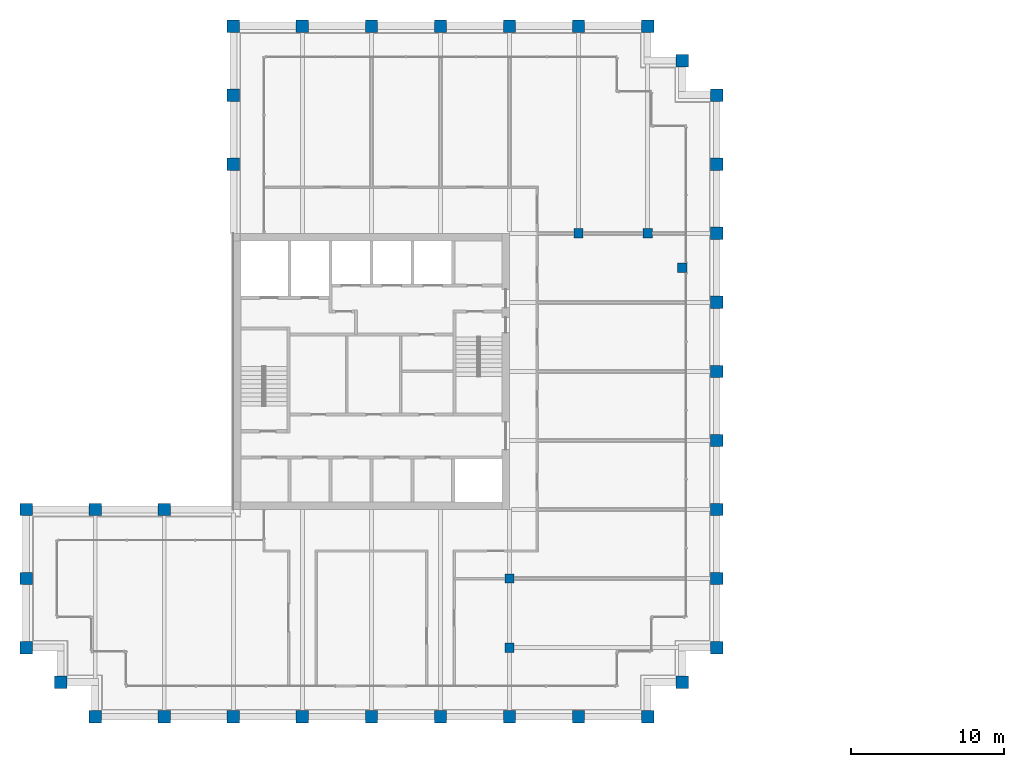
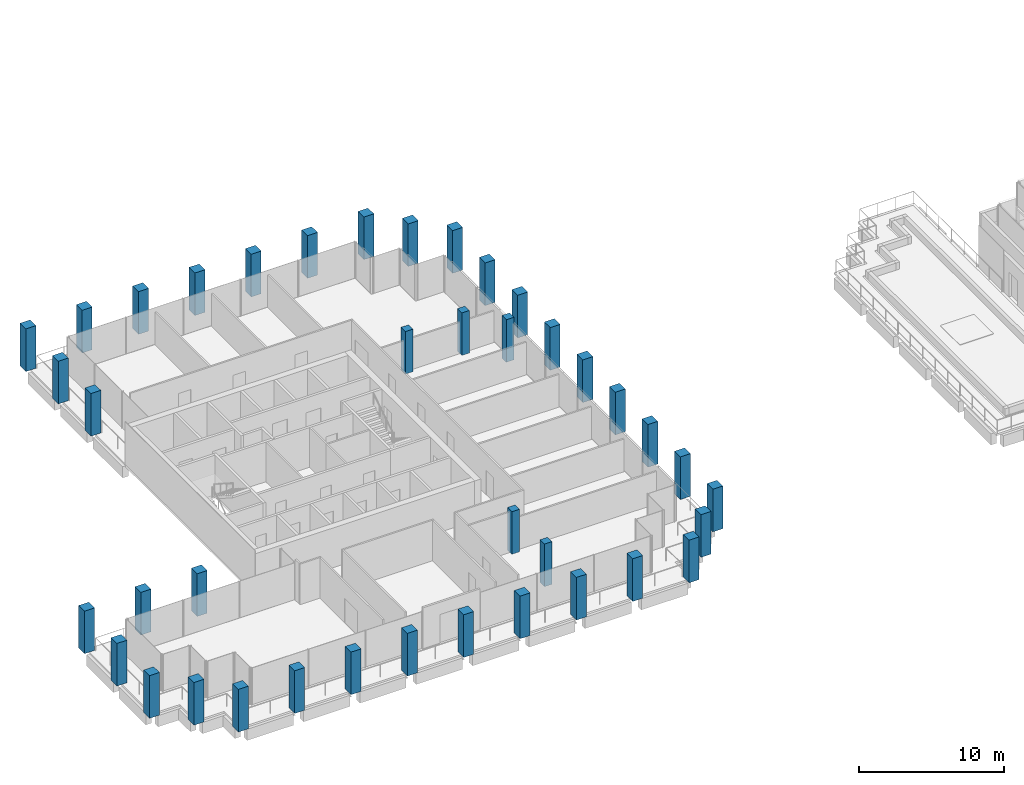
# One storey, part 1 of 62: 40 columns.
"""IFC4 building model written with IfcOpenShell, lengths in metres."""

from ifc_helpers import new_model, si_unit, direction, frame, origin, origin_2d, place, context, subcontext, project, spatial, rectangle, extrude, material, material_profile, profile_set, type_object, element, save


model = new_model("IFC4")

# Units and contexts
model_context = context("Model", 3, precision=1e-05, world=origin(), true_north=direction((0.0, 1.0)))
body_context = subcontext(model_context, "Body", "Model", "MODEL_VIEW")
ifc_project = project(units=[si_unit("LENGTHUNIT", "METRE"), si_unit("AREAUNIT", "SQUARE_METRE"), si_unit("VOLUMEUNIT", "CUBIC_METRE"), si_unit("PLANEANGLEUNIT", "RADIAN"), si_unit("MASSUNIT", "GRAM", prefix="KILO")], contexts=[model_context])

# Site, building, storey
site_placement = place(None, origin())
site = spatial("IfcSite", under=ifc_project, at=site_placement, CompositionType="ELEMENT")
building_placement = place(site_placement, origin())
building = spatial("IfcBuilding", under=site, at=building_placement, Name="Altepetl Exchange Towers", CompositionType="ELEMENT")
storey_placement = place(building_placement, frame((0.0, 0.0, 210.0)))
storey = spatial("IfcBuildingStorey", under=building, at=storey_placement, Name="L53", CompositionType="ELEMENT", Elevation=210.0)

# Columns
ifc_material_1 = material(Name="Concrete C70/85", Category="concrete")
ifc_material_profile_1 = material_profile(ifc_material_1, rectangle(XDim=0.60009765625, YDim=0.60009765625, at=origin_2d()), Name="600 x 600")
ifc_profile_set_1 = profile_set([ifc_material_profile_1], Name="Concrete C70/85")
column_type_1 = type_object("IfcColumnType", Name="Interior column 600", PredefinedType="COLUMN", material=ifc_profile_set_1)
for number, where, name in (
    (1, (58.5, 31.5, 0.0), "col:A:L53:035"),
    (2, (58.5, 36.0, 0.0), "col:A:L53:036"),
    (3, (63.0, 58.5, 0.0), "col:A:L53:037"),
    (4, (67.5, 58.5, 0.0), "col:A:L53:038"),
    (5, (69.75, 56.25, 0.0), "col:A:L53:039"),
):
    element("IfcColumn", number, at=place(storey_placement, frame(where)), inside=storey, type_object=column_type_1, Name=name, PredefinedType="COLUMN", context=body_context, shape_type="SweptSolid", body=[
        extrude(rectangle(XDim=0.60009765625, YDim=0.60009765625, at=origin_2d()), origin(), (0.0, 0.0, 1.0), 3.60009765625),
    ])
ifc_material_2 = material(Name="Concrete C70/85 precast with cantera amarilla facing", Category="concrete")
ifc_material_profile_2 = material_profile(ifc_material_2, rectangle(XDim=0.800048828125, YDim=0.800048828125, at=origin_2d()), Name="800 x 800")
ifc_profile_set_2 = profile_set([ifc_material_profile_2], Name="Concrete C70/85 precast with cantera amarilla facing")
column_type_2 = type_object("IfcColumnType", Name="Perimeter column 800 cantera amarilla", PredefinedType="COLUMN", material=ifc_profile_set_2)
for number, where, name in (
    (6, (58.5, 27.0, 0.0), "col:A:L53:006"),
    (7, (63.0, 27.0, 0.0), "col:A:L53:007"),
    (8, (67.5, 27.0, 0.0), "col:A:L53:008"),
    (9, (69.75, 29.25, 0.0), "col:A:L53:009"),
    (10, (72.0, 31.5, 0.0), "col:A:L53:010"),
    (11, (72.0, 36.0, 0.0), "col:A:L53:011"),
    (12, (72.0, 40.5, 0.0), "col:A:L53:012"),
    (13, (72.0, 45.0, 0.0), "col:A:L53:013"),
    (14, (72.0, 49.5, 0.0), "col:A:L53:014"),
    (15, (72.0, 54.0, 0.0), "col:A:L53:015"),
):
    element("IfcColumn", number, at=place(storey_placement, frame(where)), inside=storey, type_object=column_type_2, Name=name, PredefinedType="COLUMN", context=body_context, shape_type="SweptSolid", body=[
        extrude(rectangle(XDim=0.800048828125, YDim=0.800048828125, at=origin_2d()), origin(), (0.0, 0.0, 1.0), 3.60009765625),
    ])
ifc_material_3 = material(Name="Concrete C70/85 precast with cantera blanca facing", Category="concrete")
ifc_material_profile_3 = material_profile(ifc_material_3, rectangle(XDim=0.800048828125, YDim=0.800048828125, at=origin_2d()), Name="800 x 800")
ifc_profile_set_3 = profile_set([ifc_material_profile_3], Name="Concrete C70/85 precast with cantera blanca facing")
column_type_3 = type_object("IfcColumnType", Name="Perimeter column 800 cantera blanca", PredefinedType="COLUMN", material=ifc_profile_set_3)
for number, where, name in (
    (16, (31.5, 27.0, 0.0), "col:A:L53:000"),
    (17, (36.0, 27.0, 0.0), "col:A:L53:001"),
    (18, (40.5, 27.0, 0.0), "col:A:L53:002"),
    (19, (45.0, 27.0, 0.0), "col:A:L53:003"),
    (20, (49.5, 27.0, 0.0), "col:A:L53:004"),
    (21, (54.0, 27.0, 0.0), "col:A:L53:005"),
    (22, (27.0, 36.0, 0.0), "col:A:L53:032"),
    (23, (27.0, 31.5, 0.0), "col:A:L53:033"),
    (24, (29.25, 29.25, 0.0), "col:A:L53:034"),
):
    element("IfcColumn", number, at=place(storey_placement, frame(where)), inside=storey, type_object=column_type_3, Name=name, PredefinedType="COLUMN", context=body_context, shape_type="SweptSolid", body=[
        extrude(rectangle(XDim=0.800048828125, YDim=0.800048828125, at=origin_2d()), origin(), (0.0, 0.0, 1.0), 3.60009765625),
    ])
ifc_material_4 = material(Name="Concrete C70/85 precast with cantera rosa facing", Category="concrete")
ifc_material_profile_4 = material_profile(ifc_material_4, rectangle(XDim=0.800048828125, YDim=0.800048828125, at=origin_2d()), Name="800 x 800")
ifc_profile_set_4 = profile_set([ifc_material_profile_4], Name="Concrete C70/85 precast with cantera rosa facing")
column_type_4 = type_object("IfcColumnType", Name="Perimeter column 800 cantera rosa", PredefinedType="COLUMN", material=ifc_profile_set_4)
for number, where, name in (
    (25, (72.0, 58.5, 0.0), "col:A:L53:016"),
    (26, (72.0, 63.0, 0.0), "col:A:L53:017"),
    (27, (72.0, 67.5, 0.0), "col:A:L53:018"),
    (28, (69.75, 69.75, 0.0), "col:A:L53:019"),
    (29, (67.5, 72.0, 0.0), "col:A:L53:020"),
    (30, (63.0, 72.0, 0.0), "col:A:L53:021"),
    (31, (58.5, 72.0, 0.0), "col:A:L53:022"),
    (32, (54.0, 72.0, 0.0), "col:A:L53:023"),
    (33, (49.5, 72.0, 0.0), "col:A:L53:024"),
    (34, (45.0, 72.0, 0.0), "col:A:L53:025"),
):
    element("IfcColumn", number, at=place(storey_placement, frame(where)), inside=storey, type_object=column_type_4, Name=name, PredefinedType="COLUMN", context=body_context, shape_type="SweptSolid", body=[
        extrude(rectangle(XDim=0.800048828125, YDim=0.800048828125, at=origin_2d()), origin(), (0.0, 0.0, 1.0), 3.60009765625),
    ])
ifc_material_5 = material(Name="Concrete C70/85 precast with tezontle facing", Category="concrete")
ifc_material_profile_5 = material_profile(ifc_material_5, rectangle(XDim=0.800048828125, YDim=0.800048828125, at=origin_2d()), Name="800 x 800")
ifc_profile_set_5 = profile_set([ifc_material_profile_5], Name="Concrete C70/85 precast with tezontle facing")
column_type_5 = type_object("IfcColumnType", Name="Perimeter column 800 tezontle", PredefinedType="COLUMN", material=ifc_profile_set_5)
for number, where, name in (
    (35, (40.5, 72.0, 0.0), "col:A:L53:026"),
    (36, (40.5, 67.5, 0.0), "col:A:L53:027"),
    (37, (40.5, 63.0, 0.0), "col:A:L53:028"),
    (38, (36.0, 40.5, 0.0), "col:A:L53:029"),
    (39, (31.5, 40.5, 0.0), "col:A:L53:030"),
    (40, (27.0, 40.5, 0.0), "col:A:L53:031"),
):
    element("IfcColumn", number, at=place(storey_placement, frame(where)), inside=storey, type_object=column_type_5, Name=name, PredefinedType="COLUMN", context=body_context, shape_type="SweptSolid", body=[
        extrude(rectangle(XDim=0.800048828125, YDim=0.800048828125, at=origin_2d()), origin(), (0.0, 0.0, 1.0), 3.60009765625),
    ])

save(model, "model.ifc")
